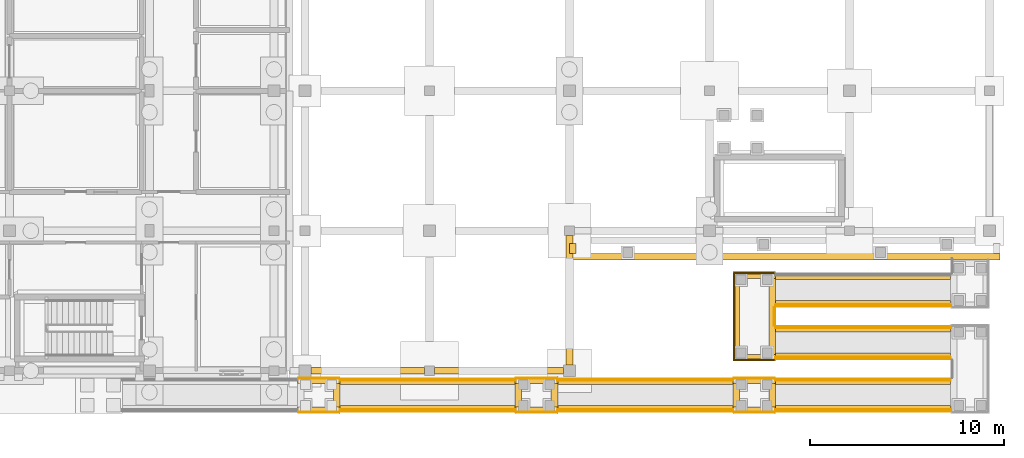
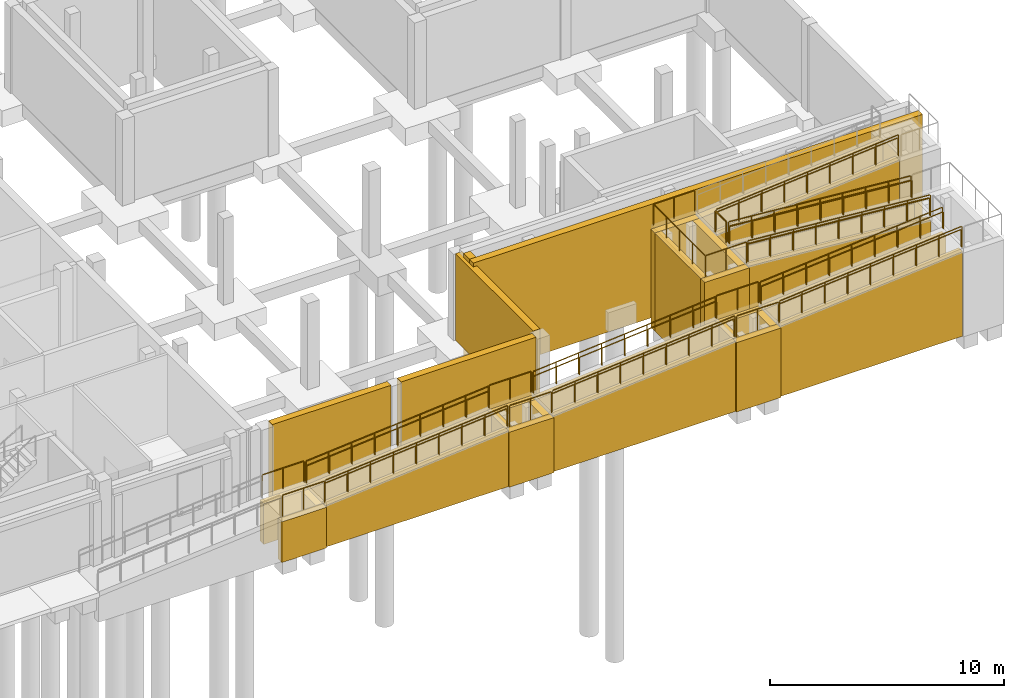
# One storey, part 103 of 104: 30 coverings, 26 railings.
"""IFC4 building model written with IfcOpenShell, lengths in metres."""

from ifc_helpers import new_model, si_unit, direction, frame, frame_2d, origin, origin_2d, place, context, subcontext, project, spatial, polyline, rectangle, circle, outline, extrude, material, layer, layer_set, type_object, element, save


model = new_model("IFC4")

# Units and contexts
model_context = context("Model", 3, precision=1e-05, world=origin(), true_north=direction((0.0, 1.0)))
body_context = subcontext(model_context, "Body", "Model", "MODEL_VIEW")
ifc_project = project(units=[si_unit("LENGTHUNIT", "METRE"), si_unit("AREAUNIT", "SQUARE_METRE"), si_unit("VOLUMEUNIT", "CUBIC_METRE"), si_unit("PLANEANGLEUNIT", "RADIAN"), si_unit("MASSUNIT", "GRAM", prefix="KILO")], contexts=[model_context])

# Site, building, storey
site_placement = place(None, origin())
site = spatial("IfcSite", under=ifc_project, at=site_placement, CompositionType="ELEMENT")
building_placement = place(site_placement, origin())
building = spatial("IfcBuilding", under=site, at=building_placement, Name="Hawrajan Terrace Health Centre", CompositionType="ELEMENT")
storey_placement = place(building_placement, origin())
storey = spatial("IfcBuildingStorey", under=building, at=storey_placement, Name="L00", CompositionType="ELEMENT", Elevation=0.0)

# Coverings
ifc_material_1 = material(Name="Precast concrete C40/50", Category="concrete")
ifc_layer = layer(ifc_material_1, 0.340087890625)
ifc_layer_set = layer_set([ifc_layer], Name="Precast concrete C40/50")
covering_type = type_object("IfcCoveringType", Name="EscarpmentAshlar_Cladding", PredefinedType="CLADDING", material=ifc_layer_set)
covering_1_placement = place(storey_placement, frame((143.800048828125, 10.070068359375, -1.60009765625), z_axis=(0.0, 0.0, 1.0), x_axis=(1.0, 0.0, 0.0)))
element("IfcCovering", 1, at=covering_1_placement, inside=storey, type_object=covering_type, Name="Escarpment stone plinth cladding APRON-L01-EAST-SOUTH-S", PredefinedType="CLADDING", context=body_context, shape_type="SweptSolid", body=[
    extrude(rectangle(XDim=22.14990234375, YDim=0.340087890625, at=frame_2d((11.074951171875, 0.0))), origin(), (0.0, 0.0, 1.0), 5.920166015625),
])
covering_2_placement = place(storey_placement, frame((143.969970703125, 10.239990234375, -1.60009765625), z_axis=(0.0, 0.0, 1.0), x_axis=(0.0, 1.0, 0.0)))
element("IfcCovering", 2, at=covering_2_placement, inside=storey, type_object=covering_type, Name="Escarpment stone plinth cladding APRON-L01-EAST-SOUTH-W", PredefinedType="CLADDING", context=body_context, shape_type="SweptSolid", body=[
    extrude(rectangle(XDim=0.510009765625, YDim=0.340087890625, at=frame_2d((0.2548828125, 0.0))), origin(), (0.0, 0.0, 1.0), 5.920166015625),
])
for number, where, z_axis, x_axis, name in (
    (3, (129.800048828125, 2.169921875, -1.60009765625), (0.0, 0.0, 1.0), (1.0, 0.0, 0.0), "Escarpment stone plinth cladding RMP-01-LND-S"),
    (4, (129.800048828125, 3.72998046875, -1.60009765625), (0.0, 0.0, 1.0), (1.0, 0.0, 0.0), "Escarpment stone plinth cladding RMP-01-LND-N"),
):
    element("IfcCovering", number, at=place(storey_placement, frame(where, z_axis=z_axis, x_axis=x_axis)), inside=storey, type_object=covering_type, Name=name, PredefinedType="CLADDING", context=body_context, shape_type="SweptSolid", body=[
        extrude(rectangle(XDim=2.199951171875, YDim=0.340087890625, at=frame_2d((1.10009765625, 0.0))), origin(), (0.0, 0.0, 1.0), 2.1201171875),
    ])
covering_3_placement = place(storey_placement, frame((131.830078125, 2.340087890625, -1.60009765625), z_axis=(0.0, 0.0, 1.0), x_axis=(0.0, 1.0, 0.0)))
element("IfcCovering", 5, at=covering_3_placement, inside=storey, type_object=covering_type, Name="Escarpment stone plinth cladding RMP-01-LND-E", PredefinedType="CLADDING", context=body_context, shape_type="SweptSolid", body=[
    extrude(rectangle(XDim=1.219970703125, YDim=0.340087890625, at=frame_2d((0.60986328125, 0.0))), origin(), (0.0, 0.0, 1.0), 2.1201171875),
])
for number, where, z_axis, x_axis, name in (
    (6, (132.0, 2.239990234375, -1.60009765625), (0.0, 0.0, 1.0), (1.0, 0.0, 0.0), "Ramp limestone cheek cladding AR-02-1"),
    (7, (132.0, 3.659912109375, -1.60009765625), (0.0, 0.0, 1.0), (1.0, 0.0, 0.0), "Ramp limestone cheek cladding AR-02-2"),
):
    element("IfcCovering", number, at=place(storey_placement, frame(where, z_axis=z_axis, x_axis=x_axis)), inside=storey, type_object=covering_type, Name=name, PredefinedType="CLADDING", context=body_context, shape_type="SweptSolid", body=[
        extrude(outline(polyline([(0.0, 0.0), (9.0, 0.0), (9.0, 2.91015625), (0.0, 2.16015625), (0.0, 0.0)])), frame((0.0, 0.169921875, 0.0), z_axis=(0.0, -1.0, 0.0), x_axis=(1.0, 0.0, 0.0)), (0.0, 0.0, 1.0), 0.340087890625),
    ])
for number, where, z_axis, x_axis, name in (
    (8, (141.0, 2.169921875, -1.60009765625), (0.0, 0.0, 1.0), (1.0, 0.0, 0.0), "Escarpment stone plinth cladding RMP-02-LND-S"),
    (9, (141.0, 3.72998046875, -1.60009765625), (0.0, 0.0, 1.0), (1.0, 0.0, 0.0), "Escarpment stone plinth cladding RMP-02-LND-N"),
):
    element("IfcCovering", number, at=place(storey_placement, frame(where, z_axis=z_axis, x_axis=x_axis)), inside=storey, type_object=covering_type, Name=name, PredefinedType="CLADDING", context=body_context, shape_type="SweptSolid", body=[
        extrude(rectangle(XDim=2.199951171875, YDim=0.340087890625, at=frame_2d((1.10009765625, 0.0))), origin(), (0.0, 0.0, 1.0), 2.8701171875),
    ])
for number, where, z_axis, x_axis, name in (
    (10, (141.169921875, 2.340087890625, -1.60009765625), (0.0, 0.0, 1.0), (0.0, 1.0, 0.0), "Escarpment stone plinth cladding RMP-02-LND-W"),
    (11, (143.030029296875, 2.340087890625, -1.60009765625), (0.0, 0.0, 1.0), (0.0, 1.0, 0.0), "Escarpment stone plinth cladding RMP-02-LND-E"),
):
    element("IfcCovering", number, at=place(storey_placement, frame(where, z_axis=z_axis, x_axis=x_axis)), inside=storey, type_object=covering_type, Name=name, PredefinedType="CLADDING", context=body_context, shape_type="SweptSolid", body=[
        extrude(rectangle(XDim=1.219970703125, YDim=0.340087890625, at=frame_2d((0.60986328125, 0.0))), origin(), (0.0, 0.0, 1.0), 2.8701171875),
    ])
for number, where, z_axis, x_axis, name in (
    (12, (143.199951171875, 2.239990234375, -1.60009765625), (0.0, 0.0, 1.0), (1.0, 0.0, 0.0), "Ramp limestone cheek cladding AR-03-1"),
    (13, (143.199951171875, 3.659912109375, -1.60009765625), (0.0, 0.0, 1.0), (1.0, 0.0, 0.0), "Ramp limestone cheek cladding AR-03-2"),
):
    element("IfcCovering", number, at=place(storey_placement, frame(where, z_axis=z_axis, x_axis=x_axis)), inside=storey, type_object=covering_type, Name=name, PredefinedType="CLADDING", context=body_context, shape_type="SweptSolid", body=[
        extrude(outline(polyline([(0.0, 0.0), (9.0, 0.0), (9.0, 3.66015625), (0.0, 2.91015625), (0.0, 0.0)])), frame((0.0, 0.169921875, 0.0), z_axis=(0.0, -1.0, 0.0), x_axis=(1.0, 0.0, 0.0)), (0.0, 0.0, 1.0), 0.340087890625),
    ])
for number, where, z_axis, x_axis, name in (
    (14, (152.199951171875, 2.169921875, -1.60009765625), (0.0, 0.0, 1.0), (1.0, 0.0, 0.0), "Escarpment stone plinth cladding RMP-03-LND-S"),
    (15, (152.199951171875, 3.72998046875, -1.60009765625), (0.0, 0.0, 1.0), (1.0, 0.0, 0.0), "Escarpment stone plinth cladding RMP-03-LND-N"),
):
    element("IfcCovering", number, at=place(storey_placement, frame(where, z_axis=z_axis, x_axis=x_axis)), inside=storey, type_object=covering_type, Name=name, PredefinedType="CLADDING", context=body_context, shape_type="SweptSolid", body=[
        extrude(rectangle(XDim=2.199951171875, YDim=0.340087890625, at=frame_2d((1.10009765625, 0.0))), origin(), (0.0, 0.0, 1.0), 3.6201171875),
    ])
for number, where, z_axis, x_axis, name in (
    (16, (152.3701171875, 2.340087890625, -1.60009765625), (0.0, 0.0, 1.0), (0.0, 1.0, 0.0), "Escarpment stone plinth cladding RMP-03-LND-W"),
    (17, (154.22998046875, 2.340087890625, -1.60009765625), (0.0, 0.0, 1.0), (0.0, 1.0, 0.0), "Escarpment stone plinth cladding RMP-03-LND-E"),
):
    element("IfcCovering", number, at=place(storey_placement, frame(where, z_axis=z_axis, x_axis=x_axis)), inside=storey, type_object=covering_type, Name=name, PredefinedType="CLADDING", context=body_context, shape_type="SweptSolid", body=[
        extrude(rectangle(XDim=1.219970703125, YDim=0.340087890625, at=frame_2d((0.60986328125, 0.0))), origin(), (0.0, 0.0, 1.0), 3.6201171875),
    ])
for number, where, z_axis, x_axis, name in (
    (18, (154.39990234375, 2.239990234375, -1.60009765625), (0.0, 0.0, 1.0), (1.0, 0.0, 0.0), "Ramp limestone cheek cladding AR-04-1"),
    (19, (154.39990234375, 3.659912109375, -1.60009765625), (0.0, 0.0, 1.0), (1.0, 0.0, 0.0), "Ramp limestone cheek cladding AR-04-2"),
):
    element("IfcCovering", number, at=place(storey_placement, frame(where, z_axis=z_axis, x_axis=x_axis)), inside=storey, type_object=covering_type, Name=name, PredefinedType="CLADDING", context=body_context, shape_type="SweptSolid", body=[
        extrude(outline(polyline([(0.0, 0.0), (9.0, 0.0), (9.0, 4.41015625), (0.0, 3.66015625), (0.0, 0.0)])), frame((0.0, 0.169921875, 0.0), z_axis=(0.0, -1.0, 0.0), x_axis=(1.0, 0.0, 0.0)), (0.0, 0.0, 1.0), 0.340087890625),
    ])
for number, where, z_axis, x_axis, name in (
    (20, (163.39990234375, 6.360107421875, -1.60009765625), (0.0, 0.0, 1.0), (-1.0, 0.0, 0.0), "Ramp limestone cheek cladding AR-05-1"),
    (21, (163.39990234375, 4.93994140625, -1.60009765625), (0.0, 0.0, 1.0), (-1.0, 0.0, 0.0), "Ramp limestone cheek cladding AR-05-2"),
):
    element("IfcCovering", number, at=place(storey_placement, frame(where, z_axis=z_axis, x_axis=x_axis)), inside=storey, type_object=covering_type, Name=name, PredefinedType="CLADDING", context=body_context, shape_type="SweptSolid", body=[
        extrude(outline(polyline([(0.0, 0.0), (9.0, 0.0), (9.0, 5.16015625), (0.0, 4.41015625), (0.0, 0.0)])), frame((0.0, 0.169921875, 0.0), z_axis=(0.0, -1.0, 0.0), x_axis=(1.0, 0.0, 0.0)), (0.0, 0.0, 1.0), 0.340087890625),
    ])
for number, where, z_axis, x_axis, name in (
    (22, (152.199951171875, 4.8701171875, -1.60009765625), (0.0, 0.0, 1.0), (1.0, 0.0, 0.0), "Escarpment stone plinth cladding RMP-05-LND-S"),
    (23, (152.199951171875, 9.1298828125, -1.60009765625), (0.0, 0.0, 1.0), (1.0, 0.0, 0.0), "Escarpment stone plinth cladding RMP-05-LND-N"),
):
    element("IfcCovering", number, at=place(storey_placement, frame(where, z_axis=z_axis, x_axis=x_axis)), inside=storey, type_object=covering_type, Name=name, PredefinedType="CLADDING", context=body_context, shape_type="SweptSolid", body=[
        extrude(rectangle(XDim=2.199951171875, YDim=0.340087890625, at=frame_2d((1.10009765625, 0.0))), origin(), (0.0, 0.0, 1.0), 5.1201171875),
    ])
for number, where, z_axis, x_axis, name in (
    (24, (152.3701171875, 5.0400390625, -1.60009765625), (0.0, 0.0, 1.0), (0.0, 1.0, 0.0), "Escarpment stone plinth cladding RMP-05-LND-W"),
    (25, (154.22998046875, 5.0400390625, -1.60009765625), (0.0, 0.0, 1.0), (0.0, 1.0, 0.0), "Escarpment stone plinth cladding RMP-05-LND-E"),
):
    element("IfcCovering", number, at=place(storey_placement, frame(where, z_axis=z_axis, x_axis=x_axis)), inside=storey, type_object=covering_type, Name=name, PredefinedType="CLADDING", context=body_context, shape_type="SweptSolid", body=[
        extrude(rectangle(XDim=3.919921875, YDim=0.340087890625, at=frame_2d((1.9599609375, 0.0))), origin(), (0.0, 0.0, 1.0), 5.1201171875),
    ])
for number, where, z_axis, x_axis, name in (
    (26, (154.39990234375, 7.639892578125, -1.60009765625), (0.0, 0.0, 1.0), (1.0, 0.0, 0.0), "Ramp limestone cheek cladding AR-06-1"),
    (27, (154.39990234375, 9.06005859375, -1.60009765625), (0.0, 0.0, 1.0), (1.0, 0.0, 0.0), "Ramp limestone cheek cladding AR-06-2"),
):
    element("IfcCovering", number, at=place(storey_placement, frame(where, z_axis=z_axis, x_axis=x_axis)), inside=storey, type_object=covering_type, Name=name, PredefinedType="CLADDING", context=body_context, shape_type="SweptSolid", body=[
        extrude(outline(polyline([(0.0, 0.0), (9.0, 0.0), (9.0, 5.91015625), (0.0, 5.16015625), (0.0, 0.0)])), frame((0.0, 0.169921875, 0.0), z_axis=(0.0, -1.0, 0.0), x_axis=(1.0, 0.0, 0.0)), (0.0, 0.0, 1.0), 0.340087890625),
    ])
covering_4_placement = place(storey_placement, frame((130.5, 4.199951171875, -0.39990234375), z_axis=(0.0, 0.0, 1.0), x_axis=(1.0, 0.0, 0.0)))
element("IfcCovering", 28, at=covering_4_placement, inside=storey, type_object=covering_type, Name="Eastern limestone escarpment plinth cladding EW-ESC-L00-002", PredefinedType="CLADDING", context=body_context, shape_type="SweptSolid", body=[
    extrude(rectangle(XDim=5.85009765625, YDim=0.340087890625, at=frame_2d((2.925048828125, 0.0))), origin(), (0.0, 0.0, 1.0), 4.52001953125),
])
for number, where, z_axis, x_axis, name in (
    (29, (136.85009765625, 4.199951171875, -0.39990234375), (0.0, 0.0, 1.0), (1.0, 0.0, 0.0), "Eastern limestone escarpment plinth cladding EW-ESC-L00-013"),
    (30, (143.800048828125, 4.5, -0.39990234375), (0.0, 0.0, 1.0), (0.0, 1.0, 0.0), "Eastern limestone escarpment plinth cladding EW-ESC-L00-014"),
):
    element("IfcCovering", number, at=place(storey_placement, frame(where, z_axis=z_axis, x_axis=x_axis)), inside=storey, type_object=covering_type, Name=name, PredefinedType="CLADDING", context=body_context, shape_type="SweptSolid", body=[
        extrude(rectangle(XDim=6.64990234375, YDim=0.340087890625, at=frame_2d((3.324951171875, 0.0))), origin(), (0.0, 0.0, 1.0), 4.52001953125),
    ])

# Railings
ifc_material_2 = material(Name="Brushed stainless steel handrail", Category="steel")
railing_type_1 = type_object("IfcRailingType", Name="RampHandrail_920", PredefinedType="HANDRAIL", material=ifc_material_2)
for number, where, name in (
    (31, (132.0, 2.18994140625, 0.75), "Ramp accessible handrail AR-02-H1"),
    (32, (132.0, 3.7099609375, 0.75), "Ramp accessible handrail AR-02-H2"),
    (33, (143.199951171875, 2.18994140625, 1.5), "Ramp accessible handrail AR-03-H1"),
    (34, (143.199951171875, 3.7099609375, 1.5), "Ramp accessible handrail AR-03-H2"),
    (35, (154.39990234375, 2.18994140625, 2.25), "Ramp accessible handrail AR-04-H1"),
    (36, (154.39990234375, 3.7099609375, 2.25), "Ramp accessible handrail AR-04-H2"),
):
    element("IfcRailing", number, at=place(storey_placement, frame(where)), inside=storey, type_object=railing_type_1, Name=name, PredefinedType="HANDRAIL", context=body_context, shape_type="SweptSolid", body=[
        extrude(circle(Radius=0.02392578125, at=origin_2d()), frame((0.02880859375, 0.0, 0.898193359375), z_axis=(0.996545758245, 0.0, 0.083045479854), x_axis=(0.0, 1.0, 0.0)), (0.0, 0.0, 1.0), 8.973388671875),
        extrude(circle(Radius=0.02099609375, at=origin_2d()), origin(), (0.0, 0.0, 1.0), 0.866943359375),
        extrude(circle(Radius=0.02099609375, at=origin_2d()), frame((1.125, 0.0, 0.09375)), (0.0, 0.0, 1.0), 0.866943359375),
        extrude(circle(Radius=0.02099609375, at=origin_2d()), frame((2.25, 0.0, 0.1875)), (0.0, 0.0, 1.0), 0.866943359375),
        extrude(circle(Radius=0.02099609375, at=origin_2d()), frame((3.375, 0.0, 0.28125)), (0.0, 0.0, 1.0), 0.866943359375),
        extrude(circle(Radius=0.02099609375, at=origin_2d()), frame((4.5, 0.0, 0.375)), (0.0, 0.0, 1.0), 0.866943359375),
        extrude(circle(Radius=0.02099609375, at=origin_2d()), frame((5.625, 0.0, 0.46875)), (0.0, 0.0, 1.0), 0.866943359375),
        extrude(circle(Radius=0.02099609375, at=origin_2d()), frame((6.75, 0.0, 0.5625)), (0.0, 0.0, 1.0), 0.866943359375),
        extrude(circle(Radius=0.02099609375, at=origin_2d()), frame((7.875, 0.0, 0.65625)), (0.0, 0.0, 1.0), 0.866943359375),
        extrude(circle(Radius=0.02099609375, at=origin_2d()), frame((9.0, 0.0, 0.75)), (0.0, 0.0, 1.0), 0.866943359375),
    ])
for number, where, name in (
    (37, (163.39990234375, 6.409912109375, 3.0), "Ramp accessible handrail AR-05-H1"),
    (38, (163.39990234375, 4.889892578125, 3.0), "Ramp accessible handrail AR-05-H2"),
):
    element("IfcRailing", number, at=place(storey_placement, frame(where)), inside=storey, type_object=railing_type_1, Name=name, PredefinedType="HANDRAIL", context=body_context, shape_type="SweptSolid", body=[
        extrude(circle(Radius=0.02392578125, at=origin_2d()), frame((-0.02880859375, 0.0, 0.898193359375), z_axis=(-0.996545758245, 0.0, 0.083045479854), x_axis=(0.0, -1.0, 0.0)), (0.0, 0.0, 1.0), 8.973388671875),
        extrude(circle(Radius=0.02099609375, at=origin_2d()), origin(), (0.0, 0.0, 1.0), 0.866943359375),
        extrude(circle(Radius=0.02099609375, at=origin_2d()), frame((-1.125, 0.0, 0.09375)), (0.0, 0.0, 1.0), 0.866943359375),
        extrude(circle(Radius=0.02099609375, at=origin_2d()), frame((-2.25, 0.0, 0.1875)), (0.0, 0.0, 1.0), 0.866943359375),
        extrude(circle(Radius=0.02099609375, at=origin_2d()), frame((-3.375, 0.0, 0.28125)), (0.0, 0.0, 1.0), 0.866943359375),
        extrude(circle(Radius=0.02099609375, at=origin_2d()), frame((-4.5, 0.0, 0.375)), (0.0, 0.0, 1.0), 0.866943359375),
        extrude(circle(Radius=0.02099609375, at=origin_2d()), frame((-5.625, 0.0, 0.46875)), (0.0, 0.0, 1.0), 0.866943359375),
        extrude(circle(Radius=0.02099609375, at=origin_2d()), frame((-6.75, 0.0, 0.5625)), (0.0, 0.0, 1.0), 0.866943359375),
        extrude(circle(Radius=0.02099609375, at=origin_2d()), frame((-7.875, 0.0, 0.65625)), (0.0, 0.0, 1.0), 0.866943359375),
        extrude(circle(Radius=0.02099609375, at=origin_2d()), frame((-9.0, 0.0, 0.75)), (0.0, 0.0, 1.0), 0.866943359375),
    ])
railing_1_placement = place(storey_placement, frame((154.39990234375, 7.590087890625, 3.75)))
element("IfcRailing", 39, at=railing_1_placement, inside=storey, type_object=railing_type_1, Name="Ramp accessible handrail AR-06-H1", PredefinedType="HANDRAIL", context=body_context, shape_type="SweptSolid", body=[
    extrude(circle(Radius=0.02392578125, at=origin_2d()), frame((0.02880859375, 0.0, 0.898193359375), z_axis=(0.996545758245, 0.0, 0.083045479854), x_axis=(0.0, 1.0, 0.0)), (0.0, 0.0, 1.0), 8.973388671875),
    extrude(circle(Radius=0.02099609375, at=origin_2d()), origin(), (0.0, 0.0, 1.0), 0.866943359375),
    extrude(circle(Radius=0.02099609375, at=origin_2d()), frame((1.125, 0.0, 0.09375)), (0.0, 0.0, 1.0), 0.866943359375),
    extrude(circle(Radius=0.02099609375, at=origin_2d()), frame((2.25, 0.0, 0.1875)), (0.0, 0.0, 1.0), 0.866943359375),
    extrude(circle(Radius=0.02099609375, at=origin_2d()), frame((3.375, 0.0, 0.28125)), (0.0, 0.0, 1.0), 0.866943359375),
    extrude(circle(Radius=0.02099609375, at=origin_2d()), frame((4.5, 0.0, 0.375)), (0.0, 0.0, 1.0), 0.866943359375),
    extrude(circle(Radius=0.02099609375, at=origin_2d()), frame((5.625, 0.0, 0.46875)), (0.0, 0.0, 1.0), 0.866943359375),
    extrude(circle(Radius=0.02099609375, at=origin_2d()), frame((6.75, 0.0, 0.5625)), (0.0, 0.0, 1.0), 0.866943359375),
    extrude(circle(Radius=0.02099609375, at=origin_2d()), frame((7.875, 0.0, 0.65625)), (0.0, 0.0, 1.0), 0.866943359375),
    extrude(circle(Radius=0.02099609375, at=origin_2d()), frame((9.0, 0.0, 0.75)), (0.0, 0.0, 1.0), 0.866943359375),
])
ifc_material_3 = material(Name="Anodized bronze post and balustrade guard")
railing_type_2 = type_object("IfcRailingType", Name="TerraceGuard_1120", PredefinedType="GUARDRAIL", material=ifc_material_3)
for number, where, name in (
    (40, (129.860107421875, 2.080078125, 0.75), "Ramp landing guard RMP-01-LGR-S"),
    (41, (129.860107421875, 3.820068359375, 0.75), "Ramp landing guard RMP-01-LGR-N"),
):
    element("IfcRailing", number, at=place(storey_placement, frame(where)), inside=storey, type_object=railing_type_2, Name=name, PredefinedType="GUARDRAIL", context=body_context, shape_type="SweptSolid", body=[
        extrude(circle(Radius=0.02392578125, at=origin_2d()), frame((0.02880859375, 0.0, 1.09619140625), z_axis=(1.0, 0.0, 0.0), x_axis=(0.0, 1.0, 0.0)), (0.0, 0.0, 1.0), 2.022216796875),
        extrude(circle(Radius=0.02099609375, at=origin_2d()), origin(), (0.0, 0.0, 1.0), 1.067138671875),
        extrude(circle(Radius=0.02099609375, at=origin_2d()), frame((1.0400390625, 0.0, 0.0)), (0.0, 0.0, 1.0), 1.067138671875),
        extrude(circle(Radius=0.02099609375, at=origin_2d()), frame((2.079833984375, 0.0, 0.0)), (0.0, 0.0, 1.0), 1.067138671875),
    ])
for number, where, name in (
    (42, (132.0, 2.1298828125, 0.75), "Ramp edge guard AR-02-G1"),
    (43, (132.0, 3.77001953125, 0.75), "Ramp edge guard AR-02-G2"),
):
    element("IfcRailing", number, at=place(storey_placement, frame(where)), inside=storey, type_object=railing_type_2, Name=name, PredefinedType="GUARDRAIL", context=body_context, shape_type="SweptSolid", body=[
        extrude(circle(Radius=0.02392578125, at=origin_2d()), frame((0.02880859375, 0.0, 1.098388671875), z_axis=(0.996545758245, 0.0, 0.083045479854), x_axis=(0.0, 1.0, 0.0)), (0.0, 0.0, 1.0), 8.973388671875),
        extrude(circle(Radius=0.02099609375, at=origin_2d()), origin(), (0.0, 0.0, 1.0), 1.067138671875),
        extrude(circle(Radius=0.02099609375, at=origin_2d()), frame((1.125, 0.0, 0.09375)), (0.0, 0.0, 1.0), 1.067138671875),
        extrude(circle(Radius=0.02099609375, at=origin_2d()), frame((2.25, 0.0, 0.1875)), (0.0, 0.0, 1.0), 1.067138671875),
        extrude(circle(Radius=0.02099609375, at=origin_2d()), frame((3.375, 0.0, 0.28125)), (0.0, 0.0, 1.0), 1.067138671875),
        extrude(circle(Radius=0.02099609375, at=origin_2d()), frame((4.5, 0.0, 0.375)), (0.0, 0.0, 1.0), 1.067138671875),
        extrude(circle(Radius=0.02099609375, at=origin_2d()), frame((5.625, 0.0, 0.46875)), (0.0, 0.0, 1.0), 1.067138671875),
        extrude(circle(Radius=0.02099609375, at=origin_2d()), frame((6.75, 0.0, 0.5625)), (0.0, 0.0, 1.0), 1.067138671875),
        extrude(circle(Radius=0.02099609375, at=origin_2d()), frame((7.875, 0.0, 0.65625)), (0.0, 0.0, 1.0), 1.067138671875),
        extrude(circle(Radius=0.02099609375, at=origin_2d()), frame((9.0, 0.0, 0.75)), (0.0, 0.0, 1.0), 1.067138671875),
    ])
for number, where, name in (
    (44, (141.06005859375, 2.080078125, 1.5), "Ramp landing guard RMP-02-LGR-S"),
    (45, (141.06005859375, 3.820068359375, 1.5), "Ramp landing guard RMP-02-LGR-N"),
):
    element("IfcRailing", number, at=place(storey_placement, frame(where)), inside=storey, type_object=railing_type_2, Name=name, PredefinedType="GUARDRAIL", context=body_context, shape_type="SweptSolid", body=[
        extrude(circle(Radius=0.02392578125, at=origin_2d()), frame((0.02880859375, 0.0, 1.09619140625), z_axis=(1.0, 0.0, 0.0), x_axis=(0.0, 1.0, 0.0)), (0.0, 0.0, 1.0), 2.022216796875),
        extrude(circle(Radius=0.02099609375, at=origin_2d()), origin(), (0.0, 0.0, 1.0), 1.067138671875),
        extrude(circle(Radius=0.02099609375, at=origin_2d()), frame((1.0400390625, 0.0, 0.0)), (0.0, 0.0, 1.0), 1.067138671875),
        extrude(circle(Radius=0.02099609375, at=origin_2d()), frame((2.079833984375, 0.0, 0.0)), (0.0, 0.0, 1.0), 1.067138671875),
    ])
for number, where, name in (
    (46, (143.199951171875, 2.1298828125, 1.5), "Ramp edge guard AR-03-G1"),
    (47, (143.199951171875, 3.77001953125, 1.5), "Ramp edge guard AR-03-G2"),
):
    element("IfcRailing", number, at=place(storey_placement, frame(where)), inside=storey, type_object=railing_type_2, Name=name, PredefinedType="GUARDRAIL", context=body_context, shape_type="SweptSolid", body=[
        extrude(circle(Radius=0.02392578125, at=origin_2d()), frame((0.02880859375, 0.0, 1.098388671875), z_axis=(0.996545758245, 0.0, 0.083045479854), x_axis=(0.0, 1.0, 0.0)), (0.0, 0.0, 1.0), 8.973388671875),
        extrude(circle(Radius=0.02099609375, at=origin_2d()), origin(), (0.0, 0.0, 1.0), 1.067138671875),
        extrude(circle(Radius=0.02099609375, at=origin_2d()), frame((1.125, 0.0, 0.09375)), (0.0, 0.0, 1.0), 1.067138671875),
        extrude(circle(Radius=0.02099609375, at=origin_2d()), frame((2.25, 0.0, 0.1875)), (0.0, 0.0, 1.0), 1.067138671875),
        extrude(circle(Radius=0.02099609375, at=origin_2d()), frame((3.375, 0.0, 0.28125)), (0.0, 0.0, 1.0), 1.067138671875),
        extrude(circle(Radius=0.02099609375, at=origin_2d()), frame((4.5, 0.0, 0.375)), (0.0, 0.0, 1.0), 1.067138671875),
        extrude(circle(Radius=0.02099609375, at=origin_2d()), frame((5.625, 0.0, 0.46875)), (0.0, 0.0, 1.0), 1.067138671875),
        extrude(circle(Radius=0.02099609375, at=origin_2d()), frame((6.75, 0.0, 0.5625)), (0.0, 0.0, 1.0), 1.067138671875),
        extrude(circle(Radius=0.02099609375, at=origin_2d()), frame((7.875, 0.0, 0.65625)), (0.0, 0.0, 1.0), 1.067138671875),
        extrude(circle(Radius=0.02099609375, at=origin_2d()), frame((9.0, 0.0, 0.75)), (0.0, 0.0, 1.0), 1.067138671875),
    ])
for number, where, name in (
    (48, (152.260009765625, 2.080078125, 2.25), "Ramp landing guard RMP-03-LGR-S"),
    (49, (152.260009765625, 3.820068359375, 2.25), "Ramp landing guard RMP-03-LGR-N"),
):
    element("IfcRailing", number, at=place(storey_placement, frame(where)), inside=storey, type_object=railing_type_2, Name=name, PredefinedType="GUARDRAIL", context=body_context, shape_type="SweptSolid", body=[
        extrude(circle(Radius=0.02392578125, at=origin_2d()), frame((0.02880859375, 0.0, 1.09619140625), z_axis=(1.0, 0.0, 0.0), x_axis=(0.0, 1.0, 0.0)), (0.0, 0.0, 1.0), 2.0224609375),
        extrude(circle(Radius=0.02099609375, at=origin_2d()), origin(), (0.0, 0.0, 1.0), 1.067138671875),
        extrude(circle(Radius=0.02099609375, at=origin_2d()), frame((1.0400390625, 0.0, 0.0)), (0.0, 0.0, 1.0), 1.067138671875),
        extrude(circle(Radius=0.02099609375, at=origin_2d()), frame((2.080078125, 0.0, 0.0)), (0.0, 0.0, 1.0), 1.067138671875),
    ])
for number, where, name in (
    (50, (154.39990234375, 2.1298828125, 2.25), "Ramp edge guard AR-04-G1"),
    (51, (154.39990234375, 3.77001953125, 2.25), "Ramp edge guard AR-04-G2"),
):
    element("IfcRailing", number, at=place(storey_placement, frame(where)), inside=storey, type_object=railing_type_2, Name=name, PredefinedType="GUARDRAIL", context=body_context, shape_type="SweptSolid", body=[
        extrude(circle(Radius=0.02392578125, at=origin_2d()), frame((0.02880859375, 0.0, 1.098388671875), z_axis=(0.996545758245, 0.0, 0.083045479854), x_axis=(0.0, 1.0, 0.0)), (0.0, 0.0, 1.0), 8.973388671875),
        extrude(circle(Radius=0.02099609375, at=origin_2d()), origin(), (0.0, 0.0, 1.0), 1.067138671875),
        extrude(circle(Radius=0.02099609375, at=origin_2d()), frame((1.125, 0.0, 0.09375)), (0.0, 0.0, 1.0), 1.067138671875),
        extrude(circle(Radius=0.02099609375, at=origin_2d()), frame((2.25, 0.0, 0.1875)), (0.0, 0.0, 1.0), 1.067138671875),
        extrude(circle(Radius=0.02099609375, at=origin_2d()), frame((3.375, 0.0, 0.28125)), (0.0, 0.0, 1.0), 1.067138671875),
        extrude(circle(Radius=0.02099609375, at=origin_2d()), frame((4.5, 0.0, 0.375)), (0.0, 0.0, 1.0), 1.067138671875),
        extrude(circle(Radius=0.02099609375, at=origin_2d()), frame((5.625, 0.0, 0.46875)), (0.0, 0.0, 1.0), 1.067138671875),
        extrude(circle(Radius=0.02099609375, at=origin_2d()), frame((6.75, 0.0, 0.5625)), (0.0, 0.0, 1.0), 1.067138671875),
        extrude(circle(Radius=0.02099609375, at=origin_2d()), frame((7.875, 0.0, 0.65625)), (0.0, 0.0, 1.0), 1.067138671875),
        extrude(circle(Radius=0.02099609375, at=origin_2d()), frame((9.0, 0.0, 0.75)), (0.0, 0.0, 1.0), 1.067138671875),
    ])
for number, where, name in (
    (52, (163.39990234375, 6.469970703125, 3.0), "Ramp edge guard AR-05-G1"),
    (53, (163.39990234375, 4.830078125, 3.0), "Ramp edge guard AR-05-G2"),
):
    element("IfcRailing", number, at=place(storey_placement, frame(where)), inside=storey, type_object=railing_type_2, Name=name, PredefinedType="GUARDRAIL", context=body_context, shape_type="SweptSolid", body=[
        extrude(circle(Radius=0.02392578125, at=origin_2d()), frame((-0.02880859375, 0.0, 1.098388671875), z_axis=(-0.996545758245, 0.0, 0.083045479854), x_axis=(0.0, -1.0, 0.0)), (0.0, 0.0, 1.0), 8.973388671875),
        extrude(circle(Radius=0.02099609375, at=origin_2d()), origin(), (0.0, 0.0, 1.0), 1.067138671875),
        extrude(circle(Radius=0.02099609375, at=origin_2d()), frame((-1.125, 0.0, 0.09375)), (0.0, 0.0, 1.0), 1.067138671875),
        extrude(circle(Radius=0.02099609375, at=origin_2d()), frame((-2.25, 0.0, 0.1875)), (0.0, 0.0, 1.0), 1.067138671875),
        extrude(circle(Radius=0.02099609375, at=origin_2d()), frame((-3.375, 0.0, 0.28125)), (0.0, 0.0, 1.0), 1.067138671875),
        extrude(circle(Radius=0.02099609375, at=origin_2d()), frame((-4.5, 0.0, 0.375)), (0.0, 0.0, 1.0), 1.067138671875),
        extrude(circle(Radius=0.02099609375, at=origin_2d()), frame((-5.625, 0.0, 0.46875)), (0.0, 0.0, 1.0), 1.067138671875),
        extrude(circle(Radius=0.02099609375, at=origin_2d()), frame((-6.75, 0.0, 0.5625)), (0.0, 0.0, 1.0), 1.067138671875),
        extrude(circle(Radius=0.02099609375, at=origin_2d()), frame((-7.875, 0.0, 0.65625)), (0.0, 0.0, 1.0), 1.067138671875),
        extrude(circle(Radius=0.02099609375, at=origin_2d()), frame((-9.0, 0.0, 0.75)), (0.0, 0.0, 1.0), 1.067138671875),
    ])
railing_2_placement = place(storey_placement, frame((154.320068359375, 4.780029296875, 3.75)))
element("IfcRailing", 54, at=railing_2_placement, inside=storey, type_object=railing_type_2, Name="Ramp landing guard RMP-05-LGR-OUT", PredefinedType="GUARDRAIL", context=body_context, shape_type="SweptSolid", body=[
    extrude(circle(Radius=0.02392578125, at=origin_2d()), frame((-0.02880859375, 0.0, 1.09619140625), z_axis=(-1.0, 0.0, 0.0), x_axis=(0.0, -1.0, 0.0)), (0.0, 0.0, 1.0), 1.982421875),
    extrude(circle(Radius=0.02392578125, at=origin_2d()), frame((-2.0400390625, 0.02880859375, 1.09619140625), z_axis=(0.0, 1.0, 0.0), x_axis=(-1.0, 0.0, 0.0)), (0.0, 0.0, 1.0), 4.38232421875),
    extrude(circle(Radius=0.02392578125, at=origin_2d()), frame((-2.01123046875, 4.43994140625, 1.09619140625), z_axis=(1.0, 0.0, 0.0), x_axis=(0.0, 1.0, 0.0)), (0.0, 0.0, 1.0), 1.982421875),
    extrude(circle(Radius=0.02099609375, at=origin_2d()), origin(), (0.0, 0.0, 1.0), 1.067138671875),
    extrude(circle(Radius=0.02099609375, at=origin_2d()), frame((-1.02001953125, 0.0, 0.0)), (0.0, 0.0, 1.0), 1.067138671875),
    extrude(circle(Radius=0.02099609375, at=origin_2d()), frame((-2.0400390625, 0.0, 0.0)), (0.0, 0.0, 1.0), 1.067138671875),
    extrude(circle(Radius=0.02099609375, at=origin_2d()), frame((-2.0400390625, 1.10986328125, 0.0)), (0.0, 0.0, 1.0), 1.067138671875),
    extrude(circle(Radius=0.02099609375, at=origin_2d()), frame((-2.0400390625, 2.219970703125, 0.0)), (0.0, 0.0, 1.0), 1.067138671875),
    extrude(circle(Radius=0.02099609375, at=origin_2d()), frame((-2.0400390625, 3.330078125, 0.0)), (0.0, 0.0, 1.0), 1.067138671875),
    extrude(circle(Radius=0.02099609375, at=origin_2d()), frame((-2.0400390625, 4.43994140625, 0.0)), (0.0, 0.0, 1.0), 1.067138671875),
    extrude(circle(Radius=0.02099609375, at=origin_2d()), frame((-1.02001953125, 4.43994140625, 0.0)), (0.0, 0.0, 1.0), 1.067138671875),
    extrude(circle(Radius=0.02099609375, at=origin_2d()), frame((0.0, 4.43994140625, 0.0)), (0.0, 0.0, 1.0), 1.067138671875),
])
railing_3_placement = place(storey_placement, frame((154.320068359375, 6.550048828125, 3.75)))
element("IfcRailing", 55, at=railing_3_placement, inside=storey, type_object=railing_type_2, Name="Ramp landing guard RMP-05-LGR-MID", PredefinedType="GUARDRAIL", context=body_context, shape_type="SweptSolid", body=[
    extrude(circle(Radius=0.02392578125, at=origin_2d()), frame((0.0, 0.02880859375, 1.09619140625), z_axis=(0.0, 1.0, 0.0), x_axis=(-1.0, 0.0, 0.0)), (0.0, 0.0, 1.0), 0.84228515625),
    extrude(circle(Radius=0.02099609375, at=origin_2d()), origin(), (0.0, 0.0, 1.0), 1.067138671875),
    extrude(circle(Radius=0.02099609375, at=origin_2d()), frame((0.0, 0.89990234375, 0.0)), (0.0, 0.0, 1.0), 1.067138671875),
])
railing_4_placement = place(storey_placement, frame((154.39990234375, 7.530029296875, 3.75)))
element("IfcRailing", 56, at=railing_4_placement, inside=storey, type_object=railing_type_2, Name="Ramp edge guard AR-06-G1", PredefinedType="GUARDRAIL", context=body_context, shape_type="SweptSolid", body=[
    extrude(circle(Radius=0.02392578125, at=origin_2d()), frame((0.02880859375, 0.0, 1.098388671875), z_axis=(0.996545758245, 0.0, 0.083045479854), x_axis=(0.0, 1.0, 0.0)), (0.0, 0.0, 1.0), 8.973388671875),
    extrude(circle(Radius=0.02099609375, at=origin_2d()), origin(), (0.0, 0.0, 1.0), 1.067138671875),
    extrude(circle(Radius=0.02099609375, at=origin_2d()), frame((1.125, 0.0, 0.09375)), (0.0, 0.0, 1.0), 1.067138671875),
    extrude(circle(Radius=0.02099609375, at=origin_2d()), frame((2.25, 0.0, 0.1875)), (0.0, 0.0, 1.0), 1.067138671875),
    extrude(circle(Radius=0.02099609375, at=origin_2d()), frame((3.375, 0.0, 0.28125)), (0.0, 0.0, 1.0), 1.067138671875),
    extrude(circle(Radius=0.02099609375, at=origin_2d()), frame((4.5, 0.0, 0.375)), (0.0, 0.0, 1.0), 1.067138671875),
    extrude(circle(Radius=0.02099609375, at=origin_2d()), frame((5.625, 0.0, 0.46875)), (0.0, 0.0, 1.0), 1.067138671875),
    extrude(circle(Radius=0.02099609375, at=origin_2d()), frame((6.75, 0.0, 0.5625)), (0.0, 0.0, 1.0), 1.067138671875),
    extrude(circle(Radius=0.02099609375, at=origin_2d()), frame((7.875, 0.0, 0.65625)), (0.0, 0.0, 1.0), 1.067138671875),
    extrude(circle(Radius=0.02099609375, at=origin_2d()), frame((9.0, 0.0, 0.75)), (0.0, 0.0, 1.0), 1.067138671875),
])

save(model, "model.ifc")
